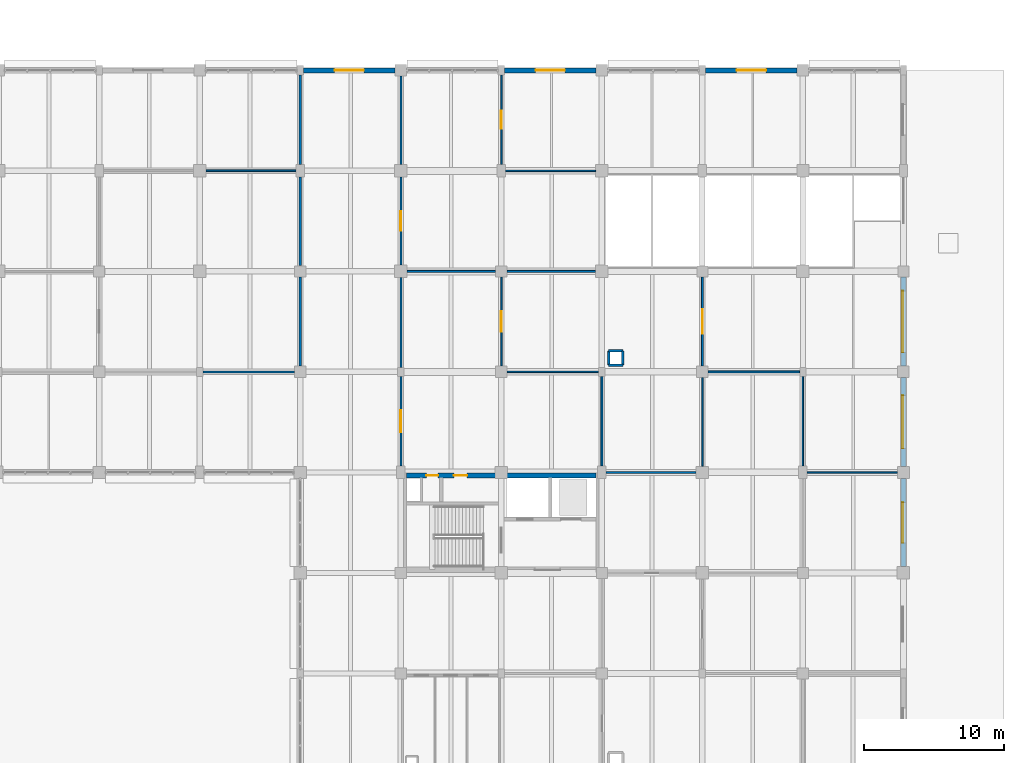
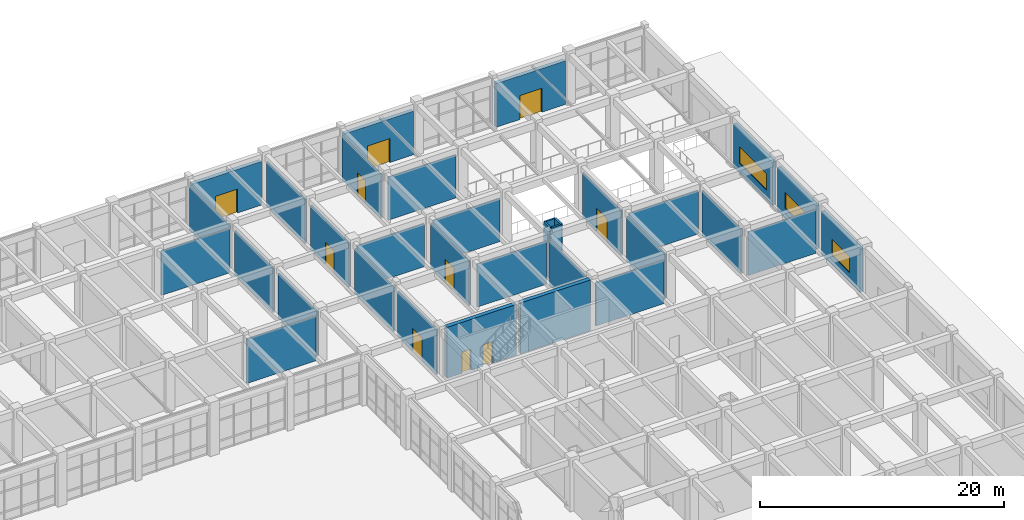
# One storey, part 148 of 160: 34 walls, 10 doors, 3 windows, 13 openings.
"""IFC4 building model written with IfcOpenShell, lengths in metres."""

from ifc_helpers import new_model, si_unit, direction, frame, frame_2d, origin, place, context, subcontext, project, spatial, rectangle, extrude, material, layer, layer_set, type_object, element, fill, save


model = new_model("IFC4")

# Units and contexts
model_context = context("Model", 3, precision=1e-05, world=origin(), true_north=direction((0.0, 1.0)))
body_context = subcontext(model_context, "Body", "Model", "MODEL_VIEW")
ifc_project = project(units=[si_unit("LENGTHUNIT", "METRE"), si_unit("AREAUNIT", "SQUARE_METRE"), si_unit("VOLUMEUNIT", "CUBIC_METRE"), si_unit("PLANEANGLEUNIT", "RADIAN"), si_unit("MASSUNIT", "GRAM", prefix="KILO")], contexts=[model_context])

# Site, building, storey
site_placement = place(None, origin())
site = spatial("IfcSite", under=ifc_project, at=site_placement, CompositionType="ELEMENT")
building_placement = place(site_placement, origin())
building = spatial("IfcBuilding", under=site, at=building_placement, Name="Thalmaran Polytechnic", CompositionType="ELEMENT")
storey_placement = place(building_placement, origin())
storey = spatial("IfcBuildingStorey", under=building, at=storey_placement, Name="L00", CompositionType="ELEMENT", Elevation=0.0)

# Wall, opening, door
ifc_material_1 = material(Name="Precast concrete C40/50", Category="concrete")
ifc_layer_1 = layer(ifc_material_1, 0.360107421875, Name="Precast concrete C40/50")
ifc_layer_set_1 = layer_set([ifc_layer_1], Name="Precast concrete C40/50")
wall_type_1 = type_object("IfcWallType", Name="WL-EW01", PredefinedType="STANDARD", material=ifc_layer_set_1)
wall_1_placement = place(storey_placement, frame((129.824951171875, 122.39990234375, 0.0), z_axis=(0.0, 0.0, 1.0), x_axis=(1.0, 0.0, 0.0)))
wall_1 = element("IfcWall", 1, at=wall_1_placement, inside=storey, type_object=wall_type_1, Name="Ground Entrance Portal Wall L00-046", PredefinedType="STANDARD", context=body_context, shape_type="SweptSolid", body=[
    extrude(rectangle(XDim=6.56494140625, YDim=0.360107421875, at=frame_2d((3.282470703125, 0.0))), origin(), (0.0, 0.0, 1.0), 4.3701171875),
])
opening_1_placement = place(wall_1_placement, frame((2.232421875, 0.0, 0.0)))
opening_1 = element("IfcOpeningElement", 2, at=opening_1_placement, cuts=wall_1, Name="Opening ED-17", PredefinedType="OPENING", context=body_context, shape_type="SweptSolid", body=[
    extrude(rectangle(XDim=2.10009765625, YDim=2.39990234375, at=frame_2d((1.050048828125, 1.199951171875))), frame((0.0, 0.18994140625, 0.0), z_axis=(0.0, -1.0, 0.0), x_axis=(1.0, 0.0, 0.0)), (0.0, 0.0, 1.0), 0.380126953125),
])
ifc_material_2 = material(Name="Anodised aluminium and safety glass", Category="aluminium")
door_type_1 = type_object("IfcDoorType", Name="DR-ED01", OperationType="NOTDEFINED", PredefinedType="DOOR", material=ifc_material_2)
door_1_placement = place(opening_1_placement, origin())
door_1 = element("IfcDoor", 3, at=door_1_placement, inside=storey, type_object=door_type_1, Name="Pedestrian Final Exit Door ED-17", OperationType="DOUBLE_DOOR_SINGLE_SWING", OverallHeight=2.39990234375, OverallWidth=2.10009765625, PredefinedType="DOOR", context=body_context, shape_type="SweptSolid", body=[
    extrude(rectangle(XDim=2.10009765625, YDim=2.39990234375, at=frame_2d((1.050048828125, 1.199951171875))), frame((0.0, 0.02490234375, 0.0), z_axis=(0.0, -1.0, 0.0), x_axis=(1.0, 0.0, 0.0)), (0.0, 0.0, 1.0), 0.050048828125),
])
fill(opening_1, door_1)

wall_2_placement = place(storey_placement, frame((144.22509765625, 122.39990234375, 0.0), z_axis=(0.0, 0.0, 1.0), x_axis=(1.0, 0.0, 0.0)))
wall_2 = element("IfcWall", 4, at=wall_2_placement, inside=storey, type_object=wall_type_1, Name="Ground Entrance Portal Wall L00-048", PredefinedType="STANDARD", context=body_context, shape_type="SweptSolid", body=[
    extrude(rectangle(XDim=6.56494140625, YDim=0.360107421875, at=frame_2d((3.282470703125, 0.0))), origin(), (0.0, 0.0, 1.0), 4.3701171875),
])
opening_2_placement = place(wall_2_placement, frame((2.232421875, 0.0, 0.0)))
opening_2 = element("IfcOpeningElement", 5, at=opening_2_placement, cuts=wall_2, Name="Opening ED-18", PredefinedType="OPENING", context=body_context, shape_type="SweptSolid", body=[
    extrude(rectangle(XDim=2.10009765625, YDim=2.39990234375, at=frame_2d((1.050048828125, 1.199951171875))), frame((0.0, 0.18994140625, 0.0), z_axis=(0.0, -1.0, 0.0), x_axis=(1.0, 0.0, 0.0)), (0.0, 0.0, 1.0), 0.380126953125),
])
door_2_placement = place(opening_2_placement, origin())
door_2 = element("IfcDoor", 6, at=door_2_placement, inside=storey, type_object=door_type_1, Name="Pedestrian Final Exit Door ED-18", OperationType="DOUBLE_DOOR_SINGLE_SWING", OverallHeight=2.39990234375, OverallWidth=2.10009765625, PredefinedType="DOOR", context=body_context, shape_type="SweptSolid", body=[
    extrude(rectangle(XDim=2.10009765625, YDim=2.39990234375, at=frame_2d((1.050048828125, 1.199951171875))), frame((0.0, 0.02490234375, 0.0), z_axis=(0.0, -1.0, 0.0), x_axis=(1.0, 0.0, 0.0)), (0.0, 0.0, 1.0), 0.050048828125),
])
fill(opening_2, door_2)

wall_3_placement = place(storey_placement, frame((158.625, 122.39990234375, 0.0), z_axis=(0.0, 0.0, 1.0), x_axis=(1.0, 0.0, 0.0)))
wall_3 = element("IfcWall", 7, at=wall_3_placement, inside=storey, type_object=wall_type_1, Name="Ground Entrance Portal Wall L00-050", PredefinedType="STANDARD", context=body_context, shape_type="SweptSolid", body=[
    extrude(rectangle(XDim=6.56494140625, YDim=0.360107421875, at=frame_2d((3.282470703125, 0.0))), origin(), (0.0, 0.0, 1.0), 4.3701171875),
])
opening_3_placement = place(wall_3_placement, frame((2.232421875, 0.0, 0.0)))
opening_3 = element("IfcOpeningElement", 8, at=opening_3_placement, cuts=wall_3, Name="Opening ED-19", PredefinedType="OPENING", context=body_context, shape_type="SweptSolid", body=[
    extrude(rectangle(XDim=2.10009765625, YDim=2.39990234375, at=frame_2d((1.050048828125, 1.199951171875))), frame((0.0, 0.18994140625, 0.0), z_axis=(0.0, -1.0, 0.0), x_axis=(1.0, 0.0, 0.0)), (0.0, 0.0, 1.0), 0.380126953125),
])
door_3_placement = place(opening_3_placement, origin())
door_3 = element("IfcDoor", 9, at=door_3_placement, inside=storey, type_object=door_type_1, Name="Pedestrian Final Exit Door ED-19", OperationType="DOUBLE_DOOR_SINGLE_SWING", OverallHeight=2.39990234375, OverallWidth=2.10009765625, PredefinedType="DOOR", context=body_context, shape_type="SweptSolid", body=[
    extrude(rectangle(XDim=2.10009765625, YDim=2.39990234375, at=frame_2d((1.050048828125, 1.199951171875))), frame((0.0, 0.02490234375, 0.0), z_axis=(0.0, -1.0, 0.0), x_axis=(1.0, 0.0, 0.0)), (0.0, 0.0, 1.0), 0.050048828125),
])
fill(opening_3, door_3)

# Wall, opening, window
ifc_layer_2 = layer(ifc_material_1, 0.330078125, Name="Precast concrete C40/50")
ifc_layer_set_2 = layer_set([ifc_layer_2], Name="Precast concrete C40/50")
wall_type_2 = type_object("IfcWallType", Name="WL-EW02", PredefinedType="STANDARD", material=ifc_layer_set_2)
wall_4_placement = place(storey_placement, frame((172.800048828125, 107.60009765625, 0.0), z_axis=(0.0, 0.0, 1.0), x_axis=(0.0, -1.0, 0.0)))
wall_4 = element("IfcWall", 10, at=wall_4_placement, inside=storey, type_object=wall_type_2, Name="Exterior Precast Facade Wall L00-054", PredefinedType="STANDARD", context=body_context, shape_type="SweptSolid", body=[
    extrude(rectangle(XDim=6.39013671875, YDim=0.330078125, at=frame_2d((3.195068359375, 0.0))), origin(), (0.0, 0.0, 1.0), 4.3349609375),
])
opening_4_placement = place(wall_4_placement, frame((0.9951171875, 0.0, 0.97998046875)))
opening_4 = element("IfcOpeningElement", 11, at=opening_4_placement, cuts=wall_4, Name="Opening VW16", PredefinedType="OPENING", context=body_context, shape_type="SweptSolid", body=[
    extrude(rectangle(XDim=4.39990234375, YDim=1.64990234375, at=frame_2d((2.199951171875, 0.824951171875))), frame((0.0, 0.175048828125, 0.0), z_axis=(0.0, -1.0, 0.0), x_axis=(1.0, 0.0, 0.0)), (0.0, 0.0, 1.0), 0.35009765625),
])
ifc_material_3 = material(Name="Thermally broken aluminium and double low-E glass", Category="aluminium")
window_type_1 = type_object("IfcWindowType", Name="WN-VZ16", PartitioningType="TRIPLE_PANEL_HORIZONTAL", PredefinedType="WINDOW", material=ifc_material_3)
window_1_placement = place(opening_4_placement, origin())
window_1 = element("IfcWindow", 12, at=window_1_placement, inside=storey, type_object=window_type_1, Name="Streamline Ribbon Window W-0026", OverallHeight=1.64990234375, OverallWidth=4.39990234375, PartitioningType="SINGLE_PANEL", PredefinedType="WINDOW", context=body_context, shape_type="SweptSolid", body=[
    extrude(rectangle(XDim=4.39990234375, YDim=1.64990234375, at=frame_2d((2.199951171875, 0.824951171875))), frame((0.0, -0.030029296875, 0.0), z_axis=(0.0, -1.0, 0.0), x_axis=(1.0, 0.0, 0.0)), (0.0, 0.0, 1.0), 0.06005859375),
])
fill(opening_4, window_1)

wall_5_placement = place(storey_placement, frame((172.800048828125, 100.389892578125, 0.0), z_axis=(0.0, 0.0, 1.0), x_axis=(0.0, -1.0, 0.0)))
wall_5 = element("IfcWall", 13, at=wall_5_placement, inside=storey, type_object=wall_type_2, Name="Exterior Precast Facade Wall L00-055", PredefinedType="STANDARD", context=body_context, shape_type="SweptSolid", body=[
    extrude(rectangle(XDim=6.349853515625, YDim=0.330078125, at=frame_2d((3.1748046875, 0.0))), origin(), (0.0, 0.0, 1.0), 4.3349609375),
])
opening_5_placement = place(wall_5_placement, frame((1.27490234375, 0.0, 0.97998046875)))
opening_5 = element("IfcOpeningElement", 14, at=opening_5_placement, cuts=wall_5, Name="Opening VW17", PredefinedType="OPENING", context=body_context, shape_type="SweptSolid", body=[
    extrude(rectangle(XDim=3.800048828125, YDim=1.60009765625, at=frame_2d((1.89990234375, 0.800048828125))), frame((0.0, 0.175048828125, 0.0), z_axis=(0.0, -1.0, 0.0), x_axis=(1.0, 0.0, 0.0)), (0.0, 0.0, 1.0), 0.35009765625),
])
window_type_2 = type_object("IfcWindowType", Name="WN-VZ17", PartitioningType="DOUBLE_PANEL_VERTICAL", PredefinedType="WINDOW", material=ifc_material_3)
window_2_placement = place(opening_5_placement, origin())
window_2 = element("IfcWindow", 15, at=window_2_placement, inside=storey, type_object=window_type_2, Name="Streamline Ribbon Window W-0027", OverallHeight=1.60009765625, OverallWidth=3.800048828125, PartitioningType="SINGLE_PANEL", PredefinedType="WINDOW", context=body_context, shape_type="SweptSolid", body=[
    extrude(rectangle(XDim=3.800048828125, YDim=1.60009765625, at=frame_2d((1.89990234375, 0.800048828125))), frame((0.0, -0.030029296875, 0.0), z_axis=(0.0, -1.0, 0.0), x_axis=(1.0, 0.0, 0.0)), (0.0, 0.0, 1.0), 0.06005859375),
])
fill(opening_5, window_2)

wall_6_placement = place(storey_placement, frame((172.800048828125, 93.159912109375, 0.0), z_axis=(0.0, 0.0, 1.0), x_axis=(0.0, -1.0, 0.0)))
wall_6 = element("IfcWall", 16, at=wall_6_placement, inside=storey, type_object=wall_type_2, Name="Exterior Precast Facade Wall L00-056", PredefinedType="STANDARD", context=body_context, shape_type="SweptSolid", body=[
    extrude(rectangle(XDim=6.309814453125, YDim=0.330078125, at=frame_2d((3.15478515625, 0.0))), origin(), (0.0, 0.0, 1.0), 4.3349609375),
])
opening_6_placement = place(wall_6_placement, frame((1.705078125, 0.0, 0.97998046875)))
opening_6 = element("IfcOpeningElement", 17, at=opening_6_placement, cuts=wall_6, Name="Opening VW18", PredefinedType="OPENING", context=body_context, shape_type="SweptSolid", body=[
    extrude(rectangle(XDim=2.89990234375, YDim=1.60009765625, at=frame_2d((1.449951171875, 0.800048828125))), frame((0.0, 0.175048828125, 0.0), z_axis=(0.0, -1.0, 0.0), x_axis=(1.0, 0.0, 0.0)), (0.0, 0.0, 1.0), 0.35009765625),
])
window_type_3 = type_object("IfcWindowType", Name="WN-VZ18", PartitioningType="DOUBLE_PANEL_VERTICAL", PredefinedType="WINDOW", material=ifc_material_3)
window_3_placement = place(opening_6_placement, origin())
window_3 = element("IfcWindow", 18, at=window_3_placement, inside=storey, type_object=window_type_3, Name="Streamline Ribbon Window W-0028", OverallHeight=1.60009765625, OverallWidth=2.89990234375, PartitioningType="SINGLE_PANEL", PredefinedType="WINDOW", context=body_context, shape_type="SweptSolid", body=[
    extrude(rectangle(XDim=2.89990234375, YDim=1.60009765625, at=frame_2d((1.449951171875, 0.800048828125))), frame((0.0, -0.030029296875, 0.0), z_axis=(0.0, -1.0, 0.0), x_axis=(1.0, 0.0, 0.0)), (0.0, 0.0, 1.0), 0.06005859375),
])
fill(opening_6, window_3)

# Walls
ifc_material_4 = material(Name="Autoclaved aerated masonry", Category="masonry")
ifc_layer_3 = layer(ifc_material_4, 0.179931640625, Name="Autoclaved aerated masonry")
ifc_layer_set_3 = layer_set([ifc_layer_3], Name="Autoclaved aerated masonry")
wall_type_3 = type_object("IfcWallType", Name="WL-IW04", PredefinedType="PARTITIONING", material=ifc_layer_set_3)
for number, where, z_axis, x_axis, name in (
    (19, (151.68994140625, 101.2900390625, 0.0), (0.0, 0.0, 1.0), (1.0, 0.0, 0.0), "Fume Exhaust Riser Shaft Wall L00 (21,14)-S"),
    (20, (152.7099609375, 101.2900390625, 0.0), (0.0, 0.0, 1.0), (0.0, 1.0, 0.0), "Fume Exhaust Riser Shaft Wall L00 (21,14)-E"),
    (21, (152.7099609375, 102.31005859375, 0.0), (0.0, 0.0, 1.0), (-1.0, 0.0, 0.0), "Fume Exhaust Riser Shaft Wall L00 (21,14)-N"),
    (22, (151.68994140625, 102.31005859375, 0.0), (0.0, 0.0, 1.0), (0.0, -1.0, 0.0), "Fume Exhaust Riser Shaft Wall L00 (21,14)-W"),
):
    element("IfcWall", number, at=place(storey_placement, frame(where, z_axis=z_axis, x_axis=x_axis)), inside=storey, type_object=wall_type_3, Name=name, PredefinedType="PARTITIONING", context=body_context, shape_type="SweptSolid", body=[
        extrude(rectangle(XDim=1.02001953125, YDim=0.179931640625, at=frame_2d((0.510009765625, 0.0))), origin(), (0.0, 0.0, 1.0), 5.090087890625),
    ])
ifc_material_5 = material(Name="Gypsum acoustic partition")
ifc_layer_4 = layer(ifc_material_5, 0.14501953125, Name="Gypsum acoustic partition")
ifc_layer_set_4 = layer_set([ifc_layer_4], Name="Gypsum acoustic partition")
wall_type_4 = type_object("IfcWallType", Name="WL-IW06", PredefinedType="PARTITIONING", material=ifc_layer_set_4)
wall_7_placement = place(storey_placement, frame((122.6298828125, 100.800048828125, 0.0), z_axis=(0.0, 0.0, 1.0), x_axis=(1.0, 0.0, 0.0)))
element("IfcWall", 23, at=wall_7_placement, inside=storey, type_object=wall_type_4, Name="Interior Partition IW06 L00-125", PredefinedType="PARTITIONING", context=body_context, shape_type="SweptSolid", body=[
    extrude(rectangle(XDim=6.55517578125, YDim=0.14501953125, at=frame_2d((3.277587890625, 0.0))), origin(), (0.0, 0.0, 1.0), 4.43994140625),
])
wall_8_placement = place(storey_placement, frame((129.60009765625, 101.215087890625, 0.0), z_axis=(0.0, 0.0, 1.0), x_axis=(0.0, 1.0, 0.0)))
element("IfcWall", 24, at=wall_8_placement, inside=storey, type_object=wall_type_4, Name="Interior Partition IW06 L00-126", PredefinedType="PARTITIONING", context=body_context, shape_type="SweptSolid", body=[
    extrude(rectangle(XDim=6.3798828125, YDim=0.14501953125, at=frame_2d((3.18994140625, 0.0))), origin(), (0.0, 0.0, 1.0), 4.455078125),
])
wall_9_placement = place(storey_placement, frame((129.60009765625, 108.405029296875, 0.0), z_axis=(0.0, 0.0, 1.0), x_axis=(0.0, 1.0, 0.0)))
element("IfcWall", 25, at=wall_9_placement, inside=storey, type_object=wall_type_4, Name="Interior Partition IW06 L00-127", PredefinedType="PARTITIONING", context=body_context, shape_type="SweptSolid", body=[
    extrude(rectangle(XDim=6.340087890625, YDim=0.14501953125, at=frame_2d((3.169921875, 0.0))), origin(), (0.0, 0.0, 1.0), 4.405029296875),
])
wall_10_placement = place(storey_placement, frame((129.60009765625, 115.655029296875, 0.0), z_axis=(0.0, 0.0, 1.0), x_axis=(0.0, 1.0, 0.0)))
element("IfcWall", 26, at=wall_10_placement, inside=storey, type_object=wall_type_4, Name="Interior Partition IW06 L00-129", PredefinedType="PARTITIONING", context=body_context, shape_type="SweptSolid", body=[
    extrude(rectangle(XDim=6.4150390625, YDim=0.14501953125, at=frame_2d((3.20751953125, 0.0))), origin(), (0.0, 0.0, 1.0), 4.405029296875),
])

# Wall, opening, door
wall_11_placement = place(storey_placement, frame((136.800048828125, 94.054931640625, 0.0), z_axis=(0.0, 0.0, 1.0), x_axis=(0.0, 1.0, 0.0)))
wall_11 = element("IfcWall", 27, at=wall_11_placement, inside=storey, type_object=wall_type_4, Name="Interior Partition IW06 L00-133", PredefinedType="PARTITIONING", context=body_context, shape_type="SweptSolid", body=[
    extrude(rectangle(XDim=6.4150390625, YDim=0.14501953125, at=frame_2d((3.20751953125, 0.0))), origin(), (0.0, 0.0, 1.0), 4.4599609375),
])
opening_7_placement = place(wall_11_placement, frame((2.427490234375, 0.0, 0.0)))
opening_7 = element("IfcOpeningElement", 28, at=opening_7_placement, cuts=wall_11, Name="Opening D-L00-039-5-02-1", PredefinedType="OPENING", context=body_context, shape_type="SweptSolid", body=[
    extrude(rectangle(XDim=1.56005859375, YDim=2.25, at=frame_2d((0.780029296875, 1.125))), frame((0.0, 0.08251953125, 0.0), z_axis=(0.0, -1.0, 0.0), x_axis=(1.0, 0.0, 0.0)), (0.0, 0.0, 1.0), 0.1650390625),
])
ifc_material_6 = material(Name="Acoustic hardwood and vision glass", Category="wood")
door_type_2 = type_object("IfcDoorType", Name="DR-ZD03", OperationType="NOTDEFINED", PredefinedType="DOOR", material=ifc_material_6)
door_4_placement = place(opening_7_placement, origin())
door_4 = element("IfcDoor", 29, at=door_4_placement, inside=storey, type_object=door_type_2, Name="Photonics and Electronics Laboratory L00-02 Door 1", OperationType="SINGLE_SWING_LEFT", OverallHeight=2.25, OverallWidth=1.56005859375, PredefinedType="DOOR", context=body_context, shape_type="SweptSolid", body=[
    extrude(rectangle(XDim=1.56005859375, YDim=2.25, at=frame_2d((0.780029296875, 1.125))), frame((0.0, 0.02490234375, 0.0), z_axis=(0.0, -1.0, 0.0), x_axis=(1.0, 0.0, 0.0)), (0.0, 0.0, 1.0), 0.050048828125),
])
fill(opening_7, door_4)

# Wall
wall_12_placement = place(storey_placement, frame((136.800048828125, 101.1298828125, 0.0), z_axis=(0.0, 0.0, 1.0), x_axis=(0.0, 1.0, 0.0)))
element("IfcWall", 30, at=wall_12_placement, inside=storey, type_object=wall_type_4, Name="Interior Partition IW06 L00-134", PredefinedType="PARTITIONING", context=body_context, shape_type="SweptSolid", body=[
    extrude(rectangle(XDim=6.4150390625, YDim=0.14501953125, at=frame_2d((3.20751953125, 0.0))), origin(), (0.0, 0.0, 1.0), 4.455078125),
])

# Wall, opening, door
wall_13_placement = place(storey_placement, frame((136.800048828125, 108.455078125, 0.0), z_axis=(0.0, 0.0, 1.0), x_axis=(0.0, 1.0, 0.0)))
wall_13 = element("IfcWall", 31, at=wall_13_placement, inside=storey, type_object=wall_type_4, Name="Interior Partition IW06 L00-135", PredefinedType="PARTITIONING", context=body_context, shape_type="SweptSolid", body=[
    extrude(rectangle(XDim=6.2998046875, YDim=0.14501953125, at=frame_2d((3.14990234375, 0.0))), origin(), (0.0, 0.0, 1.0), 4.405029296875),
])
opening_8_placement = place(wall_13_placement, frame((2.4599609375, 0.0, 0.0)))
opening_8 = element("IfcOpeningElement", 32, at=opening_8_placement, cuts=wall_13, Name="Opening D-L00-040-5-03-1", PredefinedType="OPENING", context=body_context, shape_type="SweptSolid", body=[
    extrude(rectangle(XDim=1.3798828125, YDim=2.219970703125, at=frame_2d((0.68994140625, 1.10986328125))), frame((0.0, 0.08251953125, 0.0), z_axis=(0.0, -1.0, 0.0), x_axis=(1.0, 0.0, 0.0)), (0.0, 0.0, 1.0), 0.1650390625),
])
door_type_3 = type_object("IfcDoorType", Name="DR-ZD04", OperationType="NOTDEFINED", PredefinedType="DOOR", material=ifc_material_6)
door_5_placement = place(opening_8_placement, origin())
door_5 = element("IfcDoor", 33, at=door_5_placement, inside=storey, type_object=door_type_3, Name="Product Design Studio L00-03 Door 1", OperationType="SINGLE_SWING_RIGHT", OverallHeight=2.219970703125, OverallWidth=1.3798828125, PredefinedType="DOOR", context=body_context, shape_type="SweptSolid", body=[
    extrude(rectangle(XDim=1.3798828125, YDim=2.219970703125, at=frame_2d((0.68994140625, 1.10986328125))), frame((0.0, 0.02490234375, 0.0), z_axis=(0.0, -1.0, 0.0), x_axis=(1.0, 0.0, 0.0)), (0.0, 0.0, 1.0), 0.050048828125),
])
fill(opening_8, door_5)

# Walls
wall_14_placement = place(storey_placement, frame((136.800048828125, 115.64501953125, 0.0), z_axis=(0.0, 0.0, 1.0), x_axis=(0.0, 1.0, 0.0)))
element("IfcWall", 34, at=wall_14_placement, inside=storey, type_object=wall_type_4, Name="Interior Partition IW06 L00-136", PredefinedType="PARTITIONING", context=body_context, shape_type="SweptSolid", body=[
    extrude(rectangle(XDim=6.340087890625, YDim=0.14501953125, at=frame_2d((3.169921875, 0.0))), origin(), (0.0, 0.0, 1.0), 4.405029296875),
])
ifc_layer_5 = layer(ifc_material_5, 0.1298828125, Name="Gypsum acoustic partition")
ifc_layer_set_5 = layer_set([ifc_layer_5], Name="Gypsum acoustic partition")
wall_type_5 = type_object("IfcWallType", Name="WL-IW07", PredefinedType="PARTITIONING", material=ifc_layer_set_5)
wall_15_placement = place(storey_placement, frame((122.844970703125, 115.199951171875, 0.0), z_axis=(0.0, 0.0, 1.0), x_axis=(1.0, 0.0, 0.0)))
element("IfcWall", 35, at=wall_15_placement, inside=storey, type_object=wall_type_5, Name="Interior Partition IW07 L00-128", PredefinedType="PARTITIONING", context=body_context, shape_type="SweptSolid", body=[
    extrude(rectangle(XDim=6.449951171875, YDim=0.1298828125, at=frame_2d((3.22509765625, 0.0))), origin(), (0.0, 0.0, 1.0), 4.43994140625),
])
wall_16_placement = place(storey_placement, frame((137.2548828125, 108.0, 0.0), z_axis=(0.0, 0.0, 1.0), x_axis=(1.0, 0.0, 0.0)))
element("IfcWall", 36, at=wall_16_placement, inside=storey, type_object=wall_type_5, Name="Interior Partition IW07 L00-140", PredefinedType="PARTITIONING", context=body_context, shape_type="SweptSolid", body=[
    extrude(rectangle(XDim=6.340087890625, YDim=0.1298828125, at=frame_2d((3.169921875, 0.0))), origin(), (0.0, 0.0, 1.0), 4.2900390625),
])
wall_17_placement = place(storey_placement, frame((151.199951171875, 94.054931640625, 0.0), z_axis=(0.0, 0.0, 1.0), x_axis=(0.0, 1.0, 0.0)))
element("IfcWall", 37, at=wall_17_placement, inside=storey, type_object=wall_type_5, Name="Interior Partition IW07 L00-148", PredefinedType="PARTITIONING", context=body_context, shape_type="SweptSolid", body=[
    extrude(rectangle(XDim=6.4150390625, YDim=0.1298828125, at=frame_2d((3.20751953125, 0.0))), origin(), (0.0, 0.0, 1.0), 4.4599609375),
])
wall_18_placement = place(storey_placement, frame((144.405029296875, 108.0, 0.0), z_axis=(0.0, 0.0, 1.0), x_axis=(1.0, 0.0, 0.0)))
element("IfcWall", 38, at=wall_18_placement, inside=storey, type_object=wall_type_5, Name="Interior Partition IW07 L00-150", PredefinedType="PARTITIONING", context=body_context, shape_type="SweptSolid", body=[
    extrude(rectangle(XDim=6.340087890625, YDim=0.1298828125, at=frame_2d((3.169921875, 0.0))), origin(), (0.0, 0.0, 1.0), 4.31005859375),
])
wall_19_placement = place(storey_placement, frame((151.5048828125, 93.60009765625, 0.0), z_axis=(0.0, 0.0, 1.0), x_axis=(1.0, 0.0, 0.0)))
element("IfcWall", 39, at=wall_19_placement, inside=storey, type_object=wall_type_5, Name="Interior Partition IW07 L00-158", PredefinedType="PARTITIONING", context=body_context, shape_type="SweptSolid", body=[
    extrude(rectangle(XDim=6.4501953125, YDim=0.1298828125, at=frame_2d((3.22509765625, 0.0))), origin(), (0.0, 0.0, 1.0), 4.340087890625),
])

# Wall, opening, door
wall_20_placement = place(storey_placement, frame((158.39990234375, 101.215087890625, 0.0), z_axis=(0.0, 0.0, 1.0), x_axis=(0.0, 1.0, 0.0)))
wall_20 = element("IfcWall", 40, at=wall_20_placement, inside=storey, type_object=wall_type_5, Name="Interior Partition IW07 L00-160", PredefinedType="PARTITIONING", context=body_context, shape_type="SweptSolid", body=[
    extrude(rectangle(XDim=6.3798828125, YDim=0.1298828125, at=frame_2d((3.18994140625, 0.0))), origin(), (0.0, 0.0, 1.0), 4.455078125),
])
opening_9_placement = place(wall_20_placement, frame((2.31005859375, 0.0, 0.0)))
opening_9 = element("IfcOpeningElement", 41, at=opening_9_placement, cuts=wall_20, Name="Opening D-L00-047-5-10-1", PredefinedType="OPENING", context=body_context, shape_type="SweptSolid", body=[
    extrude(rectangle(XDim=1.760009765625, YDim=2.300048828125, at=frame_2d((0.8798828125, 1.14990234375))), frame((0.0, 0.074951171875, 0.0), z_axis=(0.0, -1.0, 0.0), x_axis=(1.0, 0.0, 0.0)), (0.0, 0.0, 1.0), 0.14990234375),
])
door_type_4 = type_object("IfcDoorType", Name="DR-ZD02", OperationType="NOTDEFINED", PredefinedType="DOOR", material=ifc_material_6)
door_6_placement = place(opening_9_placement, origin())
door_6 = element("IfcDoor", 42, at=door_6_placement, inside=storey, type_object=door_type_4, Name="Seminar Room L00-10 Door 1", OperationType="SINGLE_SWING_LEFT", OverallHeight=2.300048828125, OverallWidth=1.760009765625, PredefinedType="DOOR", context=body_context, shape_type="SweptSolid", body=[
    extrude(rectangle(XDim=1.760009765625, YDim=2.300048828125, at=frame_2d((0.8798828125, 1.14990234375))), frame((0.0, 0.02490234375, 0.0), z_axis=(0.0, -1.0, 0.0), x_axis=(1.0, 0.0, 0.0)), (0.0, 0.0, 1.0), 0.050048828125),
])
fill(opening_9, door_6)

# Wall
wall_21_placement = place(storey_placement, frame((158.81494140625, 100.800048828125, 0.0), z_axis=(0.0, 0.0, 1.0), x_axis=(1.0, 0.0, 0.0)))
element("IfcWall", 43, at=wall_21_placement, inside=storey, type_object=wall_type_5, Name="Interior Partition IW07 L00-168", PredefinedType="PARTITIONING", context=body_context, shape_type="SweptSolid", body=[
    extrude(rectangle(XDim=6.55517578125, YDim=0.1298828125, at=frame_2d((3.277587890625, 0.0))), origin(), (0.0, 0.0, 1.0), 4.35009765625),
])

# Wall, opening, door
ifc_layer_6 = layer(ifc_material_5, 0.114990234375, Name="Gypsum acoustic partition")
ifc_layer_set_6 = layer_set([ifc_layer_6], Name="Gypsum acoustic partition")
wall_type_6 = type_object("IfcWallType", Name="WL-IW08", PredefinedType="PARTITIONING", material=ifc_layer_set_6)
wall_22_placement = place(storey_placement, frame((144.0, 101.215087890625, 0.0), z_axis=(0.0, 0.0, 1.0), x_axis=(0.0, 1.0, 0.0)))
wall_22 = element("IfcWall", 44, at=wall_22_placement, inside=storey, type_object=wall_type_6, Name="Interior Partition IW08 L00-139", PredefinedType="PARTITIONING", context=body_context, shape_type="SweptSolid", body=[
    extrude(rectangle(XDim=6.3798828125, YDim=0.114990234375, at=frame_2d((3.18994140625, 0.0))), origin(), (0.0, 0.0, 1.0), 4.455078125),
])
opening_10_placement = place(wall_22_placement, frame((2.449951171875, 0.0, 0.0)))
opening_10 = element("IfcOpeningElement", 45, at=opening_10_placement, cuts=wall_22, Name="Opening D-L00-042-5-05-1", PredefinedType="OPENING", context=body_context, shape_type="SweptSolid", body=[
    extrude(rectangle(XDim=1.47998046875, YDim=2.280029296875, at=frame_2d((0.739990234375, 1.14013671875))), frame((0.0, 0.0673828125, 0.0), z_axis=(0.0, -1.0, 0.0), x_axis=(1.0, 0.0, 0.0)), (0.0, 0.0, 1.0), 0.135009765625),
])
ifc_material_7 = material(Name="Powder-coated fire-rated steel", Category="steel")
door_type_5 = type_object("IfcDoorType", Name="DR-ZD09", OperationType="NOTDEFINED", PredefinedType="DOOR", material=ifc_material_7)
door_7_placement = place(opening_10_placement, origin())
door_7 = element("IfcDoor", 46, at=door_7_placement, inside=storey, type_object=door_type_5, Name="Process Engineering Laboratory L00-05 Door 1", OperationType="SINGLE_SWING_RIGHT", OverallHeight=2.280029296875, OverallWidth=1.47998046875, PredefinedType="DOOR", context=body_context, shape_type="SweptSolid", body=[
    extrude(rectangle(XDim=1.47998046875, YDim=2.280029296875, at=frame_2d((0.739990234375, 1.14013671875))), frame((0.0, 0.02490234375, 0.0), z_axis=(0.0, -1.0, 0.0), x_axis=(1.0, 0.0, 0.0)), (0.0, 0.0, 1.0), 0.050048828125),
])
fill(opening_10, door_7)

wall_23_placement = place(storey_placement, frame((144.0, 115.655029296875, 0.0), z_axis=(0.0, 0.0, 1.0), x_axis=(0.0, 1.0, 0.0)))
wall_23 = element("IfcWall", 47, at=wall_23_placement, inside=storey, type_object=wall_type_6, Name="Interior Partition IW08 L00-141", PredefinedType="PARTITIONING", context=body_context, shape_type="SweptSolid", body=[
    extrude(rectangle(XDim=6.4150390625, YDim=0.114990234375, at=frame_2d((3.20751953125, 0.0))), origin(), (0.0, 0.0, 1.0), 4.405029296875),
])
opening_11_placement = place(wall_23_placement, frame((2.5673828125, 0.0, 0.0)))
opening_11 = element("IfcOpeningElement", 48, at=opening_11_placement, cuts=wall_23, Name="Opening D-L00-043-5-06-1", PredefinedType="OPENING", context=body_context, shape_type="SweptSolid", body=[
    extrude(rectangle(XDim=1.280029296875, YDim=2.239990234375, at=frame_2d((0.64013671875, 1.1201171875))), frame((0.0, 0.0673828125, 0.0), z_axis=(0.0, -1.0, 0.0), x_axis=(1.0, 0.0, 0.0)), (0.0, 0.0, 1.0), 0.135009765625),
])
door_type_6 = type_object("IfcDoorType", Name="DR-ZD10", OperationType="NOTDEFINED", PredefinedType="DOOR", material=ifc_material_7)
door_8_placement = place(opening_11_placement, origin())
door_8 = element("IfcDoor", 49, at=door_8_placement, inside=storey, type_object=door_type_6, Name="Robotics and Automation Laboratory L00-06 Door 1", OperationType="SINGLE_SWING_LEFT", OverallHeight=2.239990234375, OverallWidth=1.280029296875, PredefinedType="DOOR", context=body_context, shape_type="SweptSolid", body=[
    extrude(rectangle(XDim=1.280029296875, YDim=2.239990234375, at=frame_2d((0.64013671875, 1.1201171875))), frame((0.0, 0.02490234375, 0.0), z_axis=(0.0, -1.0, 0.0), x_axis=(1.0, 0.0, 0.0)), (0.0, 0.0, 1.0), 0.050048828125),
])
fill(opening_11, door_8)

# Walls
wall_24_placement = place(storey_placement, frame((144.4150390625, 100.800048828125, 0.0), z_axis=(0.0, 0.0, 1.0), x_axis=(1.0, 0.0, 0.0)))
element("IfcWall", 50, at=wall_24_placement, inside=storey, type_object=wall_type_6, Name="Interior Partition IW08 L00-149", PredefinedType="PARTITIONING", context=body_context, shape_type="SweptSolid", body=[
    extrude(rectangle(XDim=6.554931640625, YDim=0.114990234375, at=frame_2d((3.27734375, 0.0))), origin(), (0.0, 0.0, 1.0), 4.31005859375),
])
wall_25_placement = place(storey_placement, frame((144.304931640625, 115.199951171875, 0.0), z_axis=(0.0, 0.0, 1.0), x_axis=(1.0, 0.0, 0.0)))
element("IfcWall", 51, at=wall_25_placement, inside=storey, type_object=wall_type_6, Name="Interior Partition IW08 L00-151", PredefinedType="PARTITIONING", context=body_context, shape_type="SweptSolid", body=[
    extrude(rectangle(XDim=6.449951171875, YDim=0.114990234375, at=frame_2d((3.22509765625, 0.0))), origin(), (0.0, 0.0, 1.0), 4.31005859375),
])
wall_26_placement = place(storey_placement, frame((158.39990234375, 94.044921875, 0.0), z_axis=(0.0, 0.0, 1.0), x_axis=(0.0, 1.0, 0.0)))
element("IfcWall", 52, at=wall_26_placement, inside=storey, type_object=wall_type_6, Name="Interior Partition IW08 L00-159", PredefinedType="PARTITIONING", context=body_context, shape_type="SweptSolid", body=[
    extrude(rectangle(XDim=6.340087890625, YDim=0.114990234375, at=frame_2d((3.169921875, 0.0))), origin(), (0.0, 0.0, 1.0), 4.4599609375),
])
wall_27_placement = place(storey_placement, frame((165.60009765625, 94.054931640625, 0.0), z_axis=(0.0, 0.0, 1.0), x_axis=(0.0, 1.0, 0.0)))
element("IfcWall", 53, at=wall_27_placement, inside=storey, type_object=wall_type_6, Name="Interior Partition IW08 L00-167", PredefinedType="PARTITIONING", context=body_context, shape_type="SweptSolid", body=[
    extrude(rectangle(XDim=6.4150390625, YDim=0.114990234375, at=frame_2d((3.20751953125, 0.0))), origin(), (0.0, 0.0, 1.0), 4.4599609375),
])
wall_28_placement = place(storey_placement, frame((165.905029296875, 93.60009765625, 0.0), z_axis=(0.0, 0.0, 1.0), x_axis=(1.0, 0.0, 0.0)))
element("IfcWall", 54, at=wall_28_placement, inside=storey, type_object=wall_type_6, Name="Interior Partition IW08 L00-171", PredefinedType="PARTITIONING", context=body_context, shape_type="SweptSolid", body=[
    extrude(rectangle(XDim=6.449951171875, YDim=0.114990234375, at=frame_2d((3.22509765625, 0.0))), origin(), (0.0, 0.0, 1.0), 4.364990234375),
])

# Wall, openings, doors
ifc_material_8 = material(Name="Concrete C50/60", Category="concrete")
ifc_layer_7 = layer(ifc_material_8, 0.3798828125, Name="Concrete C50/60")
ifc_layer_set_7 = layer_set([ifc_layer_7], Name="Concrete C50/60")
wall_type_7 = type_object("IfcWallType", Name="WL-SW02", PredefinedType="SHEAR", material=ifc_layer_set_7)
wall_29_placement = place(storey_placement, frame((137.2099609375, 93.3798828125, 0.0), z_axis=(0.0, 0.0, 1.0), x_axis=(1.0, 0.0, 0.0)))
wall_29 = element("IfcWall", 55, at=wall_29_placement, inside=storey, type_object=wall_type_7, Name="Core C5 North Shear Wall L00", PredefinedType="SHEAR", context=body_context, shape_type="SweptSolid", body=[
    extrude(rectangle(XDim=6.60009765625, YDim=0.3798828125, at=frame_2d((3.300048828125, 0.0))), origin(), (0.0, 0.0, 1.0), 5.090087890625),
])
opening_12_placement = place(wall_29_placement, frame((1.419921875, 0.0, 0.0)))
opening_12 = element("IfcOpeningElement", 56, at=opening_12_placement, cuts=wall_29, Name="Opening DR-C5-L00-R", PredefinedType="OPENING", context=body_context, shape_type="SweptSolid", body=[
    extrude(rectangle(XDim=0.85009765625, YDim=2.10009765625, at=frame_2d((0.425048828125, 1.050048828125))), frame((0.0, 0.199951171875, 0.0), z_axis=(0.0, -1.0, 0.0), x_axis=(1.0, 0.0, 0.0)), (0.0, 0.0, 1.0), 0.39990234375),
])
opening_13_placement = place(wall_29_placement, frame((3.39990234375, 0.0, 0.0)))
opening_13 = element("IfcOpeningElement", 57, at=opening_13_placement, cuts=wall_29, Name="Opening ED-C5-L00-E", PredefinedType="OPENING", context=body_context, shape_type="SweptSolid", body=[
    extrude(rectangle(XDim=0.949951171875, YDim=2.14990234375, at=frame_2d((0.47509765625, 1.074951171875))), frame((0.0, 0.199951171875, 0.0), z_axis=(0.0, -1.0, 0.0), x_axis=(1.0, 0.0, 0.0)), (0.0, 0.0, 1.0), 0.39990234375),
])
door_type_7 = type_object("IfcDoorType", Name="DR-FD08", OperationType="NOTDEFINED", PredefinedType="DOOR", material=ifc_material_7)
door_9_placement = place(opening_13_placement, origin())
door_9 = element("IfcDoor", 58, at=door_9_placement, inside=storey, type_object=door_type_7, Name="Electrical Riser Door C5 L00", OperationType="SINGLE_SWING_LEFT", OverallHeight=2.14990234375, OverallWidth=0.949951171875, PredefinedType="DOOR", context=body_context, shape_type="SweptSolid", body=[
    extrude(rectangle(XDim=0.949951171875, YDim=2.14990234375, at=frame_2d((0.47509765625, 1.074951171875))), frame((0.0, 0.02490234375, 0.0), z_axis=(0.0, -1.0, 0.0), x_axis=(1.0, 0.0, 0.0)), (0.0, 0.0, 1.0), 0.050048828125),
])
fill(opening_13, door_9)
door_type_8 = type_object("IfcDoorType", Name="DR-FD09", OperationType="NOTDEFINED", PredefinedType="DOOR", material=ifc_material_7)
door_10_placement = place(opening_12_placement, origin())
door_10 = element("IfcDoor", 59, at=door_10_placement, inside=storey, type_object=door_type_8, Name="Riser Access Fire Door C5 L00", OperationType="SINGLE_SWING_LEFT", OverallHeight=2.10009765625, OverallWidth=0.85009765625, PredefinedType="DOOR", context=body_context, shape_type="SweptSolid", body=[
    extrude(rectangle(XDim=0.85009765625, YDim=2.10009765625, at=frame_2d((0.425048828125, 1.050048828125))), frame((0.0, 0.02490234375, 0.0), z_axis=(0.0, -1.0, 0.0), x_axis=(1.0, 0.0, 0.0)), (0.0, 0.0, 1.0), 0.050048828125),
])
fill(opening_12, door_10)

# Wall
wall_30_placement = place(storey_placement, frame((144.18994140625, 93.3798828125, 0.0), z_axis=(0.0, 0.0, 1.0), x_axis=(1.0, 0.0, 0.0)))
element("IfcWall", 60, at=wall_30_placement, inside=storey, type_object=wall_type_7, Name="Core C5 Lift Shaft Back Shear Wall L00", PredefinedType="SHEAR", context=body_context, shape_type="SweptSolid", body=[
    extrude(rectangle(XDim=6.60009765625, YDim=0.3798828125, at=frame_2d((3.300048828125, 0.0))), origin(), (0.0, 0.0, 1.0), 5.090087890625),
])

save(model, "model.ifc")
